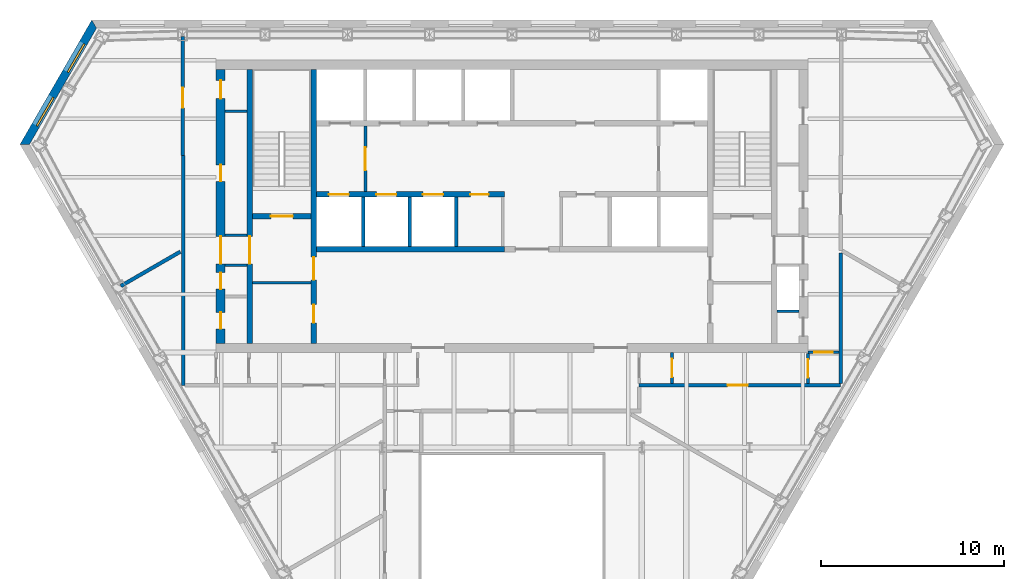
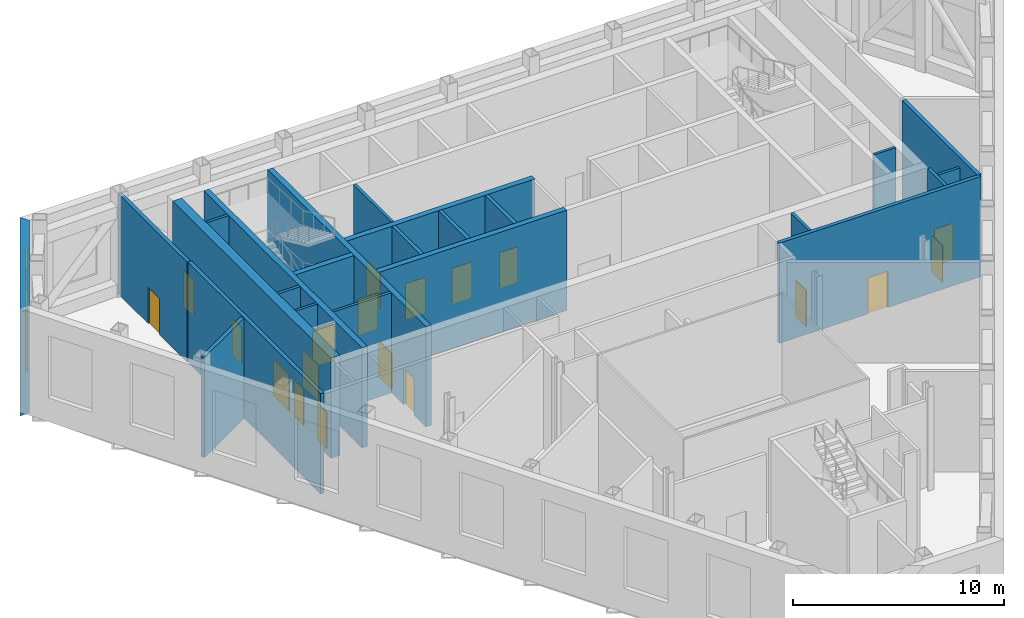
# One storey, part 8 of 13: 24 walls, 19 doors, 2 shading devices, 21 openings.
"""IFC4 building model written with IfcOpenShell, lengths in metres."""

from ifc_helpers import new_model, si_unit, direction, frame, frame_2d, origin, place, context, subcontext, project, spatial, polyline, rectangle, outline, extrude, material, layer, layer_set, type_object, element, fill, save


model = new_model("IFC4")

# Units and contexts
model_context = context("Model", 3, precision=1e-05, world=origin(), true_north=direction((0.0, 1.0)))
body_context = subcontext(model_context, "Body", "Model", "MODEL_VIEW")
ifc_project = project(units=[si_unit("LENGTHUNIT", "METRE"), si_unit("AREAUNIT", "SQUARE_METRE"), si_unit("VOLUMEUNIT", "CUBIC_METRE"), si_unit("PLANEANGLEUNIT", "RADIAN"), si_unit("MASSUNIT", "GRAM", prefix="KILO")], contexts=[model_context])

# Site, building, storey
site_placement = place(None, origin())
site = spatial("IfcSite", under=ifc_project, at=site_placement, CompositionType="ELEMENT")
building_placement = place(site_placement, origin())
building = spatial("IfcBuilding", under=site, at=building_placement, Name="Njiva Tower", CompositionType="ELEMENT")
storey_placement = place(building_placement, frame((0.0, 0.0, 186.6)))
storey = spatial("IfcBuildingStorey", under=building, at=storey_placement, Name="L41", CompositionType="ELEMENT", Elevation=186.6)

# Walls
ifc_material_1 = material(Name="Blockwork", Category="masonry")
ifc_layer_1 = layer(ifc_material_1, 0.15)
ifc_layer_set_1 = layer_set([ifc_layer_1], Name="Blockwork")
wall_type_1 = type_object("IfcWallType", Name="WT1 Compartment partition 150", PredefinedType="PARTITIONING", material=ifc_layer_set_1)
wall_1_placement = place(storey_placement, frame((-14.2, 5.825, 0.0), z_axis=(0.0, 0.0, 1.0), x_axis=(1.0, 0.0, 0.0)))
element("IfcWall", 1, at=wall_1_placement, inside=storey, type_object=wall_type_1, Name="Room wall A", PredefinedType="PARTITIONING", context=body_context, shape_type="SweptSolid", body=[
    extrude(rectangle(XDim=3.2, YDim=0.15, at=frame_2d((1.6, 0.0))), origin(), (0.0, 0.0, 1.0), 5.8),
])
wall_2_placement = place(storey_placement, frame((-15.7, 15.2048, 0.0), z_axis=(0.0, 0.0, 1.0), x_axis=(1.0, 0.0, 0.0)))
element("IfcWall", 2, at=wall_2_placement, inside=storey, type_object=wall_type_1, Name="Partition strip W10", PredefinedType="PARTITIONING", context=body_context, shape_type="SweptSolid", body=[
    extrude(rectangle(XDim=1.2, YDim=0.15, at=frame_2d((0.6, 0.0))), origin(), (0.0, 0.0, 1.0), 5.8),
])

# Wall, openings, doors
ifc_material_2 = material(Name="Concrete C40/50", Category="concrete")
ifc_layer_2 = layer(ifc_material_2, 0.3)
ifc_layer_set_2 = layer_set([ifc_layer_2], Name="Concrete C40/50")
wall_type_2 = type_object("IfcWallType", Name="WT10 Stair enclosure wall 300", PredefinedType="SHEAR", material=ifc_layer_set_2)
wall_3_placement = place(storey_placement, frame((-10.85, 2.5, 0.0), z_axis=(0.0, 0.0, 1.0), x_axis=(0.0, 1.0, 0.0)))
wall_3 = element("IfcWall", 3, at=wall_3_placement, inside=storey, type_object=wall_type_2, Name="Stair wall west inner", PredefinedType="SHEAR", context=body_context, shape_type="SweptSolid", body=[
    extrude(rectangle(XDim=15.0, YDim=0.3, at=frame_2d((7.5, 0.0))), origin(), (0.0, 0.0, 1.0), 5.8),
])
opening_1_placement = place(wall_3_placement, frame((3.475, 0.0, 0.0)))
opening_1 = element("IfcOpeningElement", 4, at=opening_1_placement, cuts=wall_3, Name="Opening T3-D914", PredefinedType="OPENING", context=body_context, shape_type="SweptSolid", body=[
    extrude(rectangle(XDim=1.25, YDim=2.1, at=frame_2d((0.625, 1.05))), frame((0.0, 0.16, 0.0), z_axis=(0.0, -1.0, 0.0), x_axis=(1.0, 0.0, 0.0)), (0.0, 0.0, 1.0), 0.32),
])
opening_2_placement = place(wall_3_placement, frame((1.125, 0.0, 0.0)))
opening_2 = element("IfcOpeningElement", 5, at=opening_2_placement, cuts=wall_3, Name="Opening T3-D915", PredefinedType="OPENING", context=body_context, shape_type="SweptSolid", body=[
    extrude(rectangle(XDim=1.0, YDim=2.1, at=frame_2d((0.5, 1.05))), frame((0.0, 0.16, 0.0), z_axis=(0.0, -1.0, 0.0), x_axis=(1.0, 0.0, 0.0)), (0.0, 0.0, 1.0), 0.32),
])
ifc_material_3 = material(Name="Steel door, painted", Category="steel")
door_type_1 = type_object("IfcDoorType", Name="D5 Steel door 1000x2100", OperationType="SINGLE_SWING_LEFT", PredefinedType="DOOR", material=ifc_material_3)
door_1_placement = place(opening_2_placement, origin())
door_1 = element("IfcDoor", 6, at=door_1_placement, inside=storey, type_object=door_type_1, Name="Electrical plant room door", OperationType="SINGLE_SWING_RIGHT", OverallHeight=2.1, OverallWidth=1.0, PredefinedType="DOOR", context=body_context, shape_type="SweptSolid", body=[
    extrude(rectangle(XDim=1.0, YDim=2.1, at=frame_2d((0.5, 1.05))), frame((0.0, 0.025, 0.0), z_axis=(0.0, -1.0, 0.0), x_axis=(1.0, 0.0, 0.0)), (0.0, 0.0, 1.0), 0.05),
])
fill(opening_2, door_1)
ifc_material_4 = material(Name="Glazed steel fire door", Category="steel")
door_type_2 = type_object("IfcDoorType", Name="D8 Vestibule corridor door 1250x2100 glazed", OperationType="SINGLE_SWING_LEFT", PredefinedType="DOOR", material=ifc_material_4)
door_2_placement = place(opening_1_placement, origin())
door_2 = element("IfcDoor", 7, at=door_2_placement, inside=storey, type_object=door_type_2, Name="Stair vestibule corridor door", OperationType="SINGLE_SWING_LEFT", OverallHeight=2.1, OverallWidth=1.25, PredefinedType="DOOR", context=body_context, shape_type="SweptSolid", body=[
    extrude(rectangle(XDim=1.25, YDim=2.1, at=frame_2d((0.625, 1.05))), frame((0.0, 0.025, 0.0), z_axis=(0.0, -1.0, 0.0), x_axis=(1.0, 0.0, 0.0)), (0.0, 0.0, 1.0), 0.05),
])
fill(opening_1, door_2)

# Wall, opening, door
wall_4_placement = place(storey_placement, frame((-14.35, 2.5, 0.0), z_axis=(0.0, 0.0, 1.0), x_axis=(0.0, 1.0, 0.0)))
wall_4 = element("IfcWall", 8, at=wall_4_placement, inside=storey, type_object=wall_type_2, Name="Stair wall west outer", PredefinedType="SHEAR", context=body_context, shape_type="SweptSolid", body=[
    extrude(rectangle(XDim=15.0, YDim=0.3, at=frame_2d((7.5, 0.0))), origin(), (0.0, 0.0, 1.0), 5.8),
])
opening_3_placement = place(wall_4_placement, frame((4.35, 0.0, 0.0)))
opening_3 = element("IfcOpeningElement", 9, at=opening_3_placement, cuts=wall_4, Name="Opening T3-D920", PredefinedType="OPENING", context=body_context, shape_type="SweptSolid", body=[
    extrude(rectangle(XDim=1.5, YDim=2.1, at=frame_2d((0.75, 1.05))), frame((0.0, 0.16, 0.0), z_axis=(0.0, -1.0, 0.0), x_axis=(1.0, 0.0, 0.0)), (0.0, 0.0, 1.0), 0.32),
])
door_type_3 = type_object("IfcDoorType", Name="D10 Exit door double 1500x2100 glazed", OperationType="DOUBLE_DOOR_SINGLE_SWING", PredefinedType="DOOR", material=ifc_material_4)
door_3_placement = place(opening_3_placement, origin())
door_3 = element("IfcDoor", 10, at=door_3_placement, inside=storey, type_object=door_type_3, Name="Stair A passage door", OperationType="DOUBLE_DOOR_SINGLE_SWING", OverallHeight=2.1, OverallWidth=1.5, PredefinedType="DOOR", context=body_context, shape_type="SweptSolid", body=[
    extrude(rectangle(XDim=1.5, YDim=2.1, at=frame_2d((0.75, 1.05))), frame((0.0, 0.025, 0.0), z_axis=(0.0, -1.0, 0.0), x_axis=(1.0, 0.0, 0.0)), (0.0, 0.0, 1.0), 0.05),
])
fill(opening_3, door_3)

wall_5_placement = place(storey_placement, frame((-14.2, 9.45, 0.0), z_axis=(0.0, 0.0, 1.0), x_axis=(1.0, 0.0, 0.0)))
wall_5 = element("IfcWall", 11, at=wall_5_placement, inside=storey, type_object=wall_type_2, Name="Stair A south wall", PredefinedType="SHEAR", context=body_context, shape_type="SweptSolid", body=[
    extrude(rectangle(XDim=3.2, YDim=0.3, at=frame_2d((1.6, 0.0))), origin(), (0.0, 0.0, 1.0), 5.8),
])
opening_4_placement = place(wall_5_placement, frame((1.0, 0.0, 0.0)))
opening_4 = element("IfcOpeningElement", 12, at=opening_4_placement, cuts=wall_5, Name="Opening T3-D913", PredefinedType="OPENING", context=body_context, shape_type="SweptSolid", body=[
    extrude(rectangle(XDim=1.2, YDim=2.1, at=frame_2d((0.6, 1.05))), frame((0.0, 0.16, 0.0), z_axis=(0.0, -1.0, 0.0), x_axis=(1.0, 0.0, 0.0)), (0.0, 0.0, 1.0), 0.32),
])
door_type_4 = type_object("IfcDoorType", Name="D7 Stair vestibule door 1200x2100 glazed", OperationType="SINGLE_SWING_LEFT", PredefinedType="DOOR", material=ifc_material_4)
door_4_placement = place(opening_4_placement, origin())
door_4 = element("IfcDoor", 13, at=door_4_placement, inside=storey, type_object=door_type_4, Name="Stair A door", OperationType="SINGLE_SWING_LEFT", OverallHeight=2.1, OverallWidth=1.2, PredefinedType="DOOR", context=body_context, shape_type="SweptSolid", body=[
    extrude(rectangle(XDim=1.2, YDim=2.1, at=frame_2d((0.6, 1.05))), frame((0.0, 0.025, 0.0), z_axis=(0.0, -1.0, 0.0), x_axis=(1.0, 0.0, 0.0)), (0.0, 0.0, 1.0), 0.05),
])
fill(opening_4, door_4)

# Wall, openings, doors
ifc_material_5 = material(Name="Concrete C60/75", Category="concrete")
ifc_layer_3 = layer(ifc_material_5, 0.5)
ifc_layer_set_3 = layer_set([ifc_layer_3], Name="Concrete C60/75")
wall_type_3 = type_object("IfcWallType", Name="WT13 Core wall 500", PredefinedType="SHEAR", material=ifc_layer_set_3)
wall_6_placement = place(storey_placement, frame((-15.95, 2.5, 0.0), z_axis=(0.0, 0.0, 1.0), x_axis=(0.0, 1.0, 0.0)))
wall_6 = element("IfcWall", 14, at=wall_6_placement, inside=storey, type_object=wall_type_3, Name="Core wall west", PredefinedType="SHEAR", context=body_context, shape_type="SweptSolid", body=[
    extrude(rectangle(XDim=15.0, YDim=0.5, at=frame_2d((7.5, 0.0))), origin(), (0.0, 0.0, 1.0), 5.8),
])
opening_5_placement = place(wall_6_placement, frame((4.35, 0.0, 0.0)))
opening_5 = element("IfcOpeningElement", 15, at=opening_5_placement, cuts=wall_6, Name="Opening T3-D921", PredefinedType="OPENING", context=body_context, shape_type="SweptSolid", body=[
    extrude(rectangle(XDim=1.5, YDim=2.1, at=frame_2d((0.75, 1.05))), frame((0.0, 0.26, 0.0), z_axis=(0.0, -1.0, 0.0), x_axis=(1.0, 0.0, 0.0)), (0.0, 0.0, 1.0), 0.52),
])
opening_6_placement = place(wall_6_placement, frame((0.7984, 0.0, 0.0)))
opening_6 = element("IfcOpeningElement", 16, at=opening_6_placement, cuts=wall_6, Name="Opening T3-D922", PredefinedType="OPENING", context=body_context, shape_type="SweptSolid", body=[
    extrude(rectangle(XDim=0.9, YDim=2.1, at=frame_2d((0.45, 1.05))), frame((0.0, 0.26, 0.0), z_axis=(0.0, -1.0, 0.0), x_axis=(1.0, 0.0, 0.0)), (0.0, 0.0, 1.0), 0.52),
])
opening_7_placement = place(wall_6_placement, frame((2.9734, 0.0, 0.0)))
opening_7 = element("IfcOpeningElement", 17, at=opening_7_placement, cuts=wall_6, Name="Opening T3-D923", PredefinedType="OPENING", context=body_context, shape_type="SweptSolid", body=[
    extrude(rectangle(XDim=0.9, YDim=2.1, at=frame_2d((0.45, 1.05))), frame((0.0, 0.26, 0.0), z_axis=(0.0, -1.0, 0.0), x_axis=(1.0, 0.0, 0.0)), (0.0, 0.0, 1.0), 0.52),
])
opening_8_placement = place(wall_6_placement, frame((8.8649, 0.0, 0.0)))
opening_8 = element("IfcOpeningElement", 18, at=opening_8_placement, cuts=wall_6, Name="Opening T3-D924", PredefinedType="OPENING", context=body_context, shape_type="SweptSolid", body=[
    extrude(rectangle(XDim=0.9, YDim=2.1, at=frame_2d((0.45, 1.05))), frame((0.0, 0.26, 0.0), z_axis=(0.0, -1.0, 0.0), x_axis=(1.0, 0.0, 0.0)), (0.0, 0.0, 1.0), 0.52),
])
opening_9_placement = place(wall_6_placement, frame((13.3899, 0.0, 0.0)))
opening_9 = element("IfcOpeningElement", 19, at=opening_9_placement, cuts=wall_6, Name="Opening T3-D925", PredefinedType="OPENING", context=body_context, shape_type="SweptSolid", body=[
    extrude(rectangle(XDim=1.0, YDim=2.1, at=frame_2d((0.5, 1.05))), frame((0.0, 0.26, 0.0), z_axis=(0.0, -1.0, 0.0), x_axis=(1.0, 0.0, 0.0)), (0.0, 0.0, 1.0), 0.52),
])
door_5_placement = place(opening_5_placement, origin())
door_5 = element("IfcDoor", 20, at=door_5_placement, inside=storey, type_object=door_type_3, Name="Stair A corridor door", OperationType="DOUBLE_DOOR_SINGLE_SWING", OverallHeight=2.1, OverallWidth=1.5, PredefinedType="DOOR", context=body_context, shape_type="SweptSolid", body=[
    extrude(rectangle(XDim=1.5, YDim=2.1, at=frame_2d((0.75, 1.05))), frame((0.0, 0.025, 0.0), z_axis=(0.0, -1.0, 0.0), x_axis=(1.0, 0.0, 0.0)), (0.0, 0.0, 1.0), 0.05),
])
fill(opening_5, door_5)
door_type_5 = type_object("IfcDoorType", Name="D4 Riser door 900x2100", OperationType="SINGLE_SWING_LEFT", PredefinedType="DOOR", material=ifc_material_3)
door_6_placement = place(opening_7_placement, origin())
door_6 = element("IfcDoor", 21, at=door_6_placement, inside=storey, type_object=door_type_5, Name="Mechanical riser door", OperationType="SINGLE_SWING_RIGHT", OverallHeight=2.1, OverallWidth=0.9, PredefinedType="DOOR", context=body_context, shape_type="SweptSolid", body=[
    extrude(rectangle(XDim=0.9, YDim=2.1, at=frame_2d((0.45, 1.05))), frame((0.0, 0.025, 0.0), z_axis=(0.0, -1.0, 0.0), x_axis=(1.0, 0.0, 0.0)), (0.0, 0.0, 1.0), 0.05),
])
fill(opening_7, door_6)
door_7_placement = place(opening_9_placement, origin())
door_7 = element("IfcDoor", 22, at=door_7_placement, inside=storey, type_object=door_type_1, Name="Electrical plant room door", OperationType="SINGLE_SWING_LEFT", OverallHeight=2.1, OverallWidth=1.0, PredefinedType="DOOR", context=body_context, shape_type="SweptSolid", body=[
    extrude(rectangle(XDim=1.0, YDim=2.1, at=frame_2d((0.5, 1.05))), frame((0.0, 0.025, 0.0), z_axis=(0.0, -1.0, 0.0), x_axis=(1.0, 0.0, 0.0)), (0.0, 0.0, 1.0), 0.05),
])
fill(opening_9, door_7)
ifc_material_6 = material(Name="Steel fire door, painted", Category="steel")
door_type_6 = type_object("IfcDoorType", Name="D6 Fire-rated door 900x2100", OperationType="SINGLE_SWING_LEFT", PredefinedType="DOOR", material=ifc_material_6)
door_8_placement = place(opening_6_placement, origin())
door_8 = element("IfcDoor", 23, at=door_8_placement, inside=storey, type_object=door_type_6, Name="Cable plant store door", OperationType="SINGLE_SWING_RIGHT", OverallHeight=2.1, OverallWidth=0.9, PredefinedType="DOOR", context=body_context, shape_type="SweptSolid", body=[
    extrude(rectangle(XDim=0.9, YDim=2.1, at=frame_2d((0.45, 1.05))), frame((0.0, 0.025, 0.0), z_axis=(0.0, -1.0, 0.0), x_axis=(1.0, 0.0, 0.0)), (0.0, 0.0, 1.0), 0.05),
])
fill(opening_6, door_8)
door_9_placement = place(opening_8_placement, origin())
door_9 = element("IfcDoor", 24, at=door_9_placement, inside=storey, type_object=door_type_6, Name="Cable plant store door", OperationType="SINGLE_SWING_LEFT", OverallHeight=2.1, OverallWidth=0.9, PredefinedType="DOOR", context=body_context, shape_type="SweptSolid", body=[
    extrude(rectangle(XDim=0.9, YDim=2.1, at=frame_2d((0.45, 1.05))), frame((0.0, 0.025, 0.0), z_axis=(0.0, -1.0, 0.0), x_axis=(1.0, 0.0, 0.0)), (0.0, 0.0, 1.0), 0.05),
])
fill(opening_8, door_9)

# Wall, opening, door
ifc_layer_4 = layer(ifc_material_1, 0.15)
ifc_layer_set_4 = layer_set([ifc_layer_4], Name="Blockwork")
wall_type_4 = type_object("IfcWallType", Name="WT2 Lobby partition 150", PredefinedType="PARTITIONING", material=ifc_layer_set_4)
wall_7_placement = place(storey_placement, frame((-8.025, 10.8, 0.0), z_axis=(0.0, 0.0, 1.0), x_axis=(0.0, 1.0, 0.0)))
wall_7 = element("IfcWall", 25, at=wall_7_placement, inside=storey, type_object=wall_type_4, Name="Firefighting lobby wall A", PredefinedType="PARTITIONING", context=body_context, shape_type="SweptSolid", body=[
    extrude(rectangle(XDim=3.6, YDim=0.15, at=frame_2d((1.8, 0.0))), origin(), (0.0, 0.0, 1.0), 5.8),
])
opening_10_placement = place(wall_7_placement, frame((1.175, 0.0, 0.0)))
opening_10 = element("IfcOpeningElement", 26, at=opening_10_placement, cuts=wall_7, Name="Opening T3-D912", PredefinedType="OPENING", context=body_context, shape_type="SweptSolid", body=[
    extrude(rectangle(XDim=1.25, YDim=2.1, at=frame_2d((0.625, 1.05))), frame((0.0, 0.085, 0.0), z_axis=(0.0, -1.0, 0.0), x_axis=(1.0, 0.0, 0.0)), (0.0, 0.0, 1.0), 0.17),
])
door_10_placement = place(opening_10_placement, origin())
door_10 = element("IfcDoor", 27, at=door_10_placement, inside=storey, type_object=door_type_2, Name="Stair vestibule corridor door", OperationType="SINGLE_SWING_RIGHT", OverallHeight=2.1, OverallWidth=1.25, PredefinedType="DOOR", context=body_context, shape_type="SweptSolid", body=[
    extrude(rectangle(XDim=1.25, YDim=2.1, at=frame_2d((0.625, 1.05))), frame((0.0, 0.025, 0.0), z_axis=(0.0, -1.0, 0.0), x_axis=(1.0, 0.0, 0.0)), (0.0, 0.0, 1.0), 0.05),
])
fill(opening_10, door_10)

ifc_material_7 = material(Name="Gypsum board on steel studs", Category="gypsum")
ifc_layer_5 = layer(ifc_material_7, 0.15)
ifc_layer_set_5 = layer_set([ifc_layer_5], Name="Gypsum board on steel studs")
wall_type_5 = type_object("IfcWallType", Name="WT21 Compartment wall 150", PredefinedType="PARTITIONING", material=ifc_layer_set_5)
wall_8_placement = place(storey_placement, frame((8.76, 0.3, 0.0), z_axis=(0.0, 0.0, 1.0), x_axis=(0.0, 1.0, 0.0)))
wall_8 = element("IfcWall", 28, at=wall_8_placement, inside=storey, type_object=wall_type_5, Name="Partition T3-P030", PredefinedType="PARTITIONING", context=body_context, shape_type="SweptSolid", body=[
    extrude(rectangle(XDim=1.7, YDim=0.15, at=frame_2d((0.85, 0.0))), origin(), (0.0, 0.0, 1.0), 5.8),
])
opening_11_placement = place(wall_8_placement, frame((0.35, 0.0, 0.0)))
opening_11 = element("IfcOpeningElement", 29, at=opening_11_placement, cuts=wall_8, Name="Opening T3-D017", PredefinedType="OPENING", context=body_context, shape_type="SweptSolid", body=[
    extrude(rectangle(XDim=1.0, YDim=2.1, at=frame_2d((0.5, 1.05))), frame((0.0, 0.085, 0.0), z_axis=(0.0, -1.0, 0.0), x_axis=(1.0, 0.0, 0.0)), (0.0, 0.0, 1.0), 0.17),
])
ifc_material_8 = material(Name="Steel fire door set", Category="steel")
door_type_7 = type_object("IfcDoorType", Name="D37 Fire door 1000x2100", OperationType="SINGLE_SWING_LEFT", PredefinedType="DOOR", material=ifc_material_8)
door_11_placement = place(opening_11_placement, origin())
door_11 = element("IfcDoor", 30, at=door_11_placement, inside=storey, type_object=door_type_7, Name="Door T3-D017", OperationType="SINGLE_SWING_LEFT", OverallHeight=2.1, OverallWidth=1.0, PredefinedType="DOOR", context=body_context, shape_type="SweptSolid", body=[
    extrude(rectangle(XDim=1.0, YDim=2.1, at=frame_2d((0.5, 1.05))), frame((0.0, 0.025, 0.0), z_axis=(0.0, -1.0, 0.0), x_axis=(1.0, 0.0, 0.0)), (0.0, 0.0, 1.0), 0.05),
])
fill(opening_11, door_11)

wall_9_placement = place(storey_placement, frame((16.2, 0.3, 0.0), z_axis=(0.0, 0.0, 1.0), x_axis=(0.0, 1.0, 0.0)))
wall_9 = element("IfcWall", 31, at=wall_9_placement, inside=storey, type_object=wall_type_5, Name="Partition T3-P031", PredefinedType="PARTITIONING", context=body_context, shape_type="SweptSolid", body=[
    extrude(rectangle(XDim=1.637, YDim=0.15, at=frame_2d((0.8185, 0.0))), origin(), (0.0, 0.0, 1.0), 5.8),
])
opening_12_placement = place(wall_9_placement, frame((0.319, 0.0, 0.0)))
opening_12 = element("IfcOpeningElement", 32, at=opening_12_placement, cuts=wall_9, Name="Opening T3-D018", PredefinedType="OPENING", context=body_context, shape_type="SweptSolid", body=[
    extrude(rectangle(XDim=1.0, YDim=2.1, at=frame_2d((0.5, 1.05))), frame((0.0, 0.085, 0.0), z_axis=(0.0, -1.0, 0.0), x_axis=(1.0, 0.0, 0.0)), (0.0, 0.0, 1.0), 0.17),
])
door_12_placement = place(opening_12_placement, origin())
door_12 = element("IfcDoor", 33, at=door_12_placement, inside=storey, type_object=door_type_7, Name="Door T3-D018", OperationType="SINGLE_SWING_LEFT", OverallHeight=2.1, OverallWidth=1.0, PredefinedType="DOOR", context=body_context, shape_type="SweptSolid", body=[
    extrude(rectangle(XDim=1.0, YDim=2.1, at=frame_2d((0.5, 1.05))), frame((0.0, 0.025, 0.0), z_axis=(0.0, -1.0, 0.0), x_axis=(1.0, 0.0, 0.0)), (0.0, 0.0, 1.0), 0.05),
])
fill(opening_12, door_12)

wall_10_placement = place(storey_placement, frame((16.2, 2.012, 0.0), z_axis=(0.0, 0.0, 1.0), x_axis=(1.0, 0.0, 0.0)))
wall_10 = element("IfcWall", 34, at=wall_10_placement, inside=storey, type_object=wall_type_5, Name="Partition T3-P032", PredefinedType="PARTITIONING", context=body_context, shape_type="SweptSolid", body=[
    extrude(rectangle(XDim=1.7, YDim=0.15, at=frame_2d((0.85, 0.0))), origin(), (0.0, 0.0, 1.0), 5.21),
])
opening_13_placement = place(wall_10_placement, frame((0.35, 0.0, 0.0)))
opening_13 = element("IfcOpeningElement", 35, at=opening_13_placement, cuts=wall_10, Name="Opening T3-D019", PredefinedType="OPENING", context=body_context, shape_type="SweptSolid", body=[
    extrude(rectangle(XDim=1.0, YDim=2.1, at=frame_2d((0.5, 1.05))), frame((0.0, 0.085, 0.0), z_axis=(0.0, -1.0, 0.0), x_axis=(1.0, 0.0, 0.0)), (0.0, 0.0, 1.0), 0.17),
])
door_13_placement = place(opening_13_placement, origin())
door_13 = element("IfcDoor", 36, at=door_13_placement, inside=storey, type_object=door_type_7, Name="Door T3-D019", OperationType="SINGLE_SWING_LEFT", OverallHeight=2.1, OverallWidth=1.0, PredefinedType="DOOR", context=body_context, shape_type="SweptSolid", body=[
    extrude(rectangle(XDim=1.0, YDim=2.1, at=frame_2d((0.5, 1.05))), frame((0.0, 0.025, 0.0), z_axis=(0.0, -1.0, 0.0), x_axis=(1.0, 0.0, 0.0)), (0.0, 0.0, 1.0), 0.05),
])
fill(opening_13, door_13)

# Wall
ifc_layer_6 = layer(ifc_material_1, 0.2)
ifc_layer_set_6 = layer_set([ifc_layer_6], Name="Blockwork")
wall_type_6 = type_object("IfcWallType", Name="WT22 Plant room wall 200", PredefinedType="PARTITIONING", material=ifc_layer_set_6)
wall_11_placement = place(storey_placement, frame((-21.413, 5.637, 0.0), z_axis=(0.0, 0.0, 1.0), x_axis=(0.866128132328, 0.499822026716, 0.0)))
element("IfcWall", 37, at=wall_11_placement, inside=storey, type_object=wall_type_6, Name="Partition T3-P001", PredefinedType="PARTITIONING", context=body_context, shape_type="SweptSolid", body=[
    extrude(rectangle(XDim=3.7673, YDim=0.2, at=frame_2d((1.8836, 0.0))), origin(), (0.0, 0.0, 1.0), 5.8),
])

# Wall, opening, door
wall_12_placement = place(storey_placement, frame((-18.031, 12.793, 0.0), z_axis=(0.0, 0.0, 1.0), x_axis=(0.0, 1.0, 0.0)))
wall_12 = element("IfcWall", 38, at=wall_12_placement, inside=storey, type_object=wall_type_6, Name="Partition T3-P002", PredefinedType="PARTITIONING", context=body_context, shape_type="SweptSolid", body=[
    extrude(rectangle(XDim=6.507, YDim=0.2, at=frame_2d((3.2535, 0.0))), origin(), (0.0, 0.0, 1.0), 5.8),
])
opening_14_placement = place(wall_12_placement, frame((2.603, 0.0, 0.0)))
opening_14 = element("IfcOpeningElement", 39, at=opening_14_placement, cuts=wall_12, Name="Opening T3-D001", PredefinedType="OPENING", context=body_context, shape_type="SweptSolid", body=[
    extrude(rectangle(XDim=1.1, YDim=2.1, at=frame_2d((0.55, 1.05))), frame((0.0, 0.11, 0.0), z_axis=(0.0, -1.0, 0.0), x_axis=(1.0, 0.0, 0.0)), (0.0, 0.0, 1.0), 0.22),
])
ifc_material_9 = material(Name="Steel door set", Category="steel")
door_type_8 = type_object("IfcDoorType", Name="D34 Plant door 1100x2100", OperationType="SINGLE_SWING_LEFT", PredefinedType="DOOR", material=ifc_material_9)
door_14_placement = place(opening_14_placement, origin())
door_14 = element("IfcDoor", 40, at=door_14_placement, inside=storey, type_object=door_type_8, Name="Door T3-D001", OperationType="SINGLE_SWING_RIGHT", OverallHeight=2.1, OverallWidth=1.1, PredefinedType="DOOR", context=body_context, shape_type="SweptSolid", body=[
    extrude(rectangle(XDim=1.1, YDim=2.1, at=frame_2d((0.55, 1.05))), frame((0.0, 0.025, 0.0), z_axis=(0.0, -1.0, 0.0), x_axis=(1.0, 0.0, 0.0)), (0.0, 0.0, 1.0), 0.05),
])
fill(opening_14, door_14)

# Wall
wall_13_placement = place(storey_placement, frame((-18.0, 0.2, 0.0), z_axis=(0.0, 0.0, 1.0), x_axis=(0.0, 1.0, 0.0)))
element("IfcWall", 41, at=wall_13_placement, inside=storey, type_object=wall_type_6, Name="Partition T3-P003", PredefinedType="PARTITIONING", context=body_context, shape_type="SweptSolid", body=[
    extrude(rectangle(XDim=12.575, YDim=0.2, at=frame_2d((6.2875, 0.0))), origin(), (0.0, 0.0, 1.0), 5.8),
])

# Wall, opening, door
wall_14_placement = place(storey_placement, frame((6.961, 0.2, 0.0), z_axis=(0.0, 0.0, 1.0), x_axis=(1.0, 0.0, 0.0)))
wall_14 = element("IfcWall", 42, at=wall_14_placement, inside=storey, type_object=wall_type_6, Name="Partition T3-P029", PredefinedType="PARTITIONING", context=body_context, shape_type="SweptSolid", body=[
    extrude(rectangle(XDim=11.024, YDim=0.2, at=frame_2d((5.512, 0.0))), origin(), (0.0, 0.0, 1.0), 5.8),
])
opening_15_placement = place(wall_14_placement, frame((4.844, 0.0, 0.0)))
opening_15 = element("IfcOpeningElement", 43, at=opening_15_placement, cuts=wall_14, Name="Opening T3-D016", PredefinedType="OPENING", context=body_context, shape_type="SweptSolid", body=[
    extrude(rectangle(XDim=1.1, YDim=2.1, at=frame_2d((0.55, 1.05))), frame((0.0, 0.11, 0.0), z_axis=(0.0, -1.0, 0.0), x_axis=(1.0, 0.0, 0.0)), (0.0, 0.0, 1.0), 0.22),
])
door_15_placement = place(opening_15_placement, origin())
door_15 = element("IfcDoor", 44, at=door_15_placement, inside=storey, type_object=door_type_8, Name="Door T3-D016", OperationType="SINGLE_SWING_LEFT", OverallHeight=2.1, OverallWidth=1.1, PredefinedType="DOOR", context=body_context, shape_type="SweptSolid", body=[
    extrude(rectangle(XDim=1.1, YDim=2.1, at=frame_2d((0.55, 1.05))), frame((0.0, 0.025, 0.0), z_axis=(0.0, -1.0, 0.0), x_axis=(1.0, 0.0, 0.0)), (0.0, 0.0, 1.0), 0.05),
])
fill(opening_15, door_15)

# Walls
wall_15_placement = place(storey_placement, frame((18.0, 0.3, 0.0), z_axis=(0.0, 0.0, 1.0), x_axis=(0.0, 1.0, 0.0)))
element("IfcWall", 45, at=wall_15_placement, inside=storey, type_object=wall_type_6, Name="Partition T3-P033", PredefinedType="PARTITIONING", context=body_context, shape_type="SweptSolid", body=[
    extrude(rectangle(XDim=7.133, YDim=0.2, at=frame_2d((3.5665, 0.0))), origin(), (0.0, 0.0, 1.0), 5.8),
])
ifc_layer_7 = layer(ifc_material_1, 0.15)
ifc_layer_set_7 = layer_set([ifc_layer_7], Name="Blockwork")
wall_type_7 = type_object("IfcWallType", Name="WT3 Riser partition 150", PredefinedType="PARTITIONING", material=ifc_layer_set_7)
wall_16_placement = place(storey_placement, frame((14.5, 4.2514, 0.0), z_axis=(0.0, 0.0, 1.0), x_axis=(1.0, 0.0, 0.0)))
element("IfcWall", 46, at=wall_16_placement, inside=storey, type_object=wall_type_7, Name="Partition strip E00", PredefinedType="PARTITIONING", context=body_context, shape_type="SweptSolid", body=[
    extrude(rectangle(XDim=1.2, YDim=0.15, at=frame_2d((0.6, 0.0))), origin(), (0.0, 0.0, 1.0), 5.8),
])
ifc_layer_8 = layer(ifc_material_1, 0.15)
ifc_layer_set_8 = layer_set([ifc_layer_8], Name="Blockwork")
wall_type_8 = type_object("IfcWallType", Name="WT4 Stair partition 150", PredefinedType="PARTITIONING", material=ifc_layer_set_8)
for number, where, z_axis, x_axis, name in (
    (47, (-15.7, 6.775, 0.0), (0.0, 0.0, 1.0), (1.0, 0.0, 0.0), "Stair A exit passage wall south"),
    (48, (-15.7, 8.425, 0.0), (0.0, 0.0, 1.0), (1.0, 0.0, 0.0), "Stair A exit passage wall north"),
):
    element("IfcWall", number, at=place(storey_placement, frame(where, z_axis=z_axis, x_axis=x_axis)), inside=storey, type_object=wall_type_8, Name=name, PredefinedType="PARTITIONING", context=body_context, shape_type="SweptSolid", body=[
        extrude(rectangle(XDim=1.2, YDim=0.15, at=frame_2d((0.6, 0.0))), origin(), (0.0, 0.0, 1.0), 5.8),
    ])
ifc_layer_9 = layer(ifc_material_2, 0.2)
ifc_layer_set_9 = layer_set([ifc_layer_9], Name="Concrete C40/50")
wall_type_9 = type_object("IfcWallType", Name="WT6 Lift shaft wall 200", PredefinedType="SHEAR", material=ifc_layer_set_9)
for number, where, z_axis, x_axis, name in (
    (49, (-8.15, 7.8, 0.0), (0.0, 0.0, 1.0), (0.0, 1.0, 0.0), "Shaft wall CS1"),
    (50, (-5.6, 7.8, 0.0), (0.0, 0.0, 1.0), (0.0, 1.0, 0.0), "Shaft wall CS2"),
    (51, (-3.05, 7.8, 0.0), (0.0, 0.0, 1.0), (0.0, 1.0, 0.0), "Shaft wall CS3"),
):
    element("IfcWall", number, at=place(storey_placement, frame(where, z_axis=z_axis, x_axis=x_axis)), inside=storey, type_object=wall_type_9, Name=name, PredefinedType="SHEAR", context=body_context, shape_type="SweptSolid", body=[
        extrude(rectangle(XDim=2.7, YDim=0.2, at=frame_2d((1.35, 0.0))), origin(), (0.0, 0.0, 1.0), 5.8),
    ])

# Wall, openings, doors
ifc_layer_10 = layer(ifc_material_2, 0.3)
ifc_layer_set_10 = layer_set([ifc_layer_10], Name="Concrete C40/50")
wall_type_10 = type_object("IfcWallType", Name="WT7 Lift shaft wall 300", PredefinedType="SHEAR", material=ifc_layer_set_10)
wall_17_placement = place(storey_placement, frame((-10.7, 10.65, 0.0), z_axis=(0.0, 0.0, 1.0), x_axis=(1.0, 0.0, 0.0)))
wall_17 = element("IfcWall", 52, at=wall_17_placement, inside=storey, type_object=wall_type_10, Name="Shaft wall south row lobby side W", PredefinedType="SHEAR", context=body_context, shape_type="SweptSolid", body=[
    extrude(rectangle(XDim=10.3, YDim=0.3, at=frame_2d((5.15, 0.0))), origin(), (0.0, 0.0, 1.0), 5.8),
])
opening_16_placement = place(wall_17_placement, frame((0.675, 0.0, 0.0)))
opening_16 = element("IfcOpeningElement", 53, at=opening_16_placement, cuts=wall_17, Name="Opening T3-D906", PredefinedType="OPENING", context=body_context, shape_type="SweptSolid", body=[
    extrude(rectangle(XDim=1.1, YDim=2.1, at=frame_2d((0.55, 1.05))), frame((0.0, 0.16, 0.0), z_axis=(0.0, -1.0, 0.0), x_axis=(1.0, 0.0, 0.0)), (0.0, 0.0, 1.0), 0.32),
])
opening_17_placement = place(wall_17_placement, frame((3.275, 0.0, 0.0)))
opening_17 = element("IfcOpeningElement", 54, at=opening_17_placement, cuts=wall_17, Name="Opening T3-D907", PredefinedType="OPENING", context=body_context, shape_type="SweptSolid", body=[
    extrude(rectangle(XDim=1.1, YDim=2.1, at=frame_2d((0.55, 1.05))), frame((0.0, 0.16, 0.0), z_axis=(0.0, -1.0, 0.0), x_axis=(1.0, 0.0, 0.0)), (0.0, 0.0, 1.0), 0.32),
])
opening_18_placement = place(wall_17_placement, frame((5.825, 0.0, 0.0)))
opening_18 = element("IfcOpeningElement", 55, at=opening_18_placement, cuts=wall_17, Name="Opening T3-D908", PredefinedType="OPENING", context=body_context, shape_type="SweptSolid", body=[
    extrude(rectangle(XDim=1.1, YDim=2.1, at=frame_2d((0.55, 1.05))), frame((0.0, 0.16, 0.0), z_axis=(0.0, -1.0, 0.0), x_axis=(1.0, 0.0, 0.0)), (0.0, 0.0, 1.0), 0.32),
])
opening_19_placement = place(wall_17_placement, frame((8.425, 0.0, 0.0)))
opening_19 = element("IfcOpeningElement", 56, at=opening_19_placement, cuts=wall_17, Name="Opening T3-D910", PredefinedType="OPENING", context=body_context, shape_type="SweptSolid", body=[
    extrude(rectangle(XDim=1.0, YDim=2.1, at=frame_2d((0.5, 1.05))), frame((0.0, 0.16, 0.0), z_axis=(0.0, -1.0, 0.0), x_axis=(1.0, 0.0, 0.0)), (0.0, 0.0, 1.0), 0.32),
])
door_16_placement = place(opening_19_placement, origin())
door_16 = element("IfcDoor", 57, at=door_16_placement, inside=storey, type_object=door_type_1, Name="Electrical plant room door", OperationType="SINGLE_SWING_RIGHT", OverallHeight=2.1, OverallWidth=1.0, PredefinedType="DOOR", context=body_context, shape_type="SweptSolid", body=[
    extrude(rectangle(XDim=1.0, YDim=2.1, at=frame_2d((0.5, 1.05))), frame((0.0, 0.025, 0.0), z_axis=(0.0, -1.0, 0.0), x_axis=(1.0, 0.0, 0.0)), (0.0, 0.0, 1.0), 0.05),
])
fill(opening_19, door_16)
ifc_material_10 = material(Name="Stainless steel sliding door", Category="steel")
door_type_9 = type_object("IfcDoorType", Name="LD Lift landing door 1100x2100", OperationType="SLIDING_TO_LEFT", PredefinedType="DOOR", material=ifc_material_10)
door_17_placement = place(opening_16_placement, origin())
door_17 = element("IfcDoor", 58, at=door_17_placement, inside=storey, type_object=door_type_9, Name="Lift landing door MB1", OperationType="SLIDING_TO_LEFT", OverallHeight=2.1, OverallWidth=1.1, PredefinedType="DOOR", context=body_context, shape_type="SweptSolid", body=[
    extrude(rectangle(XDim=1.1, YDim=2.1, at=frame_2d((0.55, 1.05))), frame((0.0, 0.025, 0.0), z_axis=(0.0, -1.0, 0.0), x_axis=(1.0, 0.0, 0.0)), (0.0, 0.0, 1.0), 0.05),
])
fill(opening_16, door_17)
door_18_placement = place(opening_17_placement, origin())
door_18 = element("IfcDoor", 59, at=door_18_placement, inside=storey, type_object=door_type_9, Name="Lift landing door MB2", OperationType="SLIDING_TO_LEFT", OverallHeight=2.1, OverallWidth=1.1, PredefinedType="DOOR", context=body_context, shape_type="SweptSolid", body=[
    extrude(rectangle(XDim=1.1, YDim=2.1, at=frame_2d((0.55, 1.05))), frame((0.0, 0.025, 0.0), z_axis=(0.0, -1.0, 0.0), x_axis=(1.0, 0.0, 0.0)), (0.0, 0.0, 1.0), 0.05),
])
fill(opening_17, door_18)
door_19_placement = place(opening_18_placement, origin())
door_19 = element("IfcDoor", 60, at=door_19_placement, inside=storey, type_object=door_type_9, Name="Lift landing door MB3", OperationType="SLIDING_TO_LEFT", OverallHeight=2.1, OverallWidth=1.1, PredefinedType="DOOR", context=body_context, shape_type="SweptSolid", body=[
    extrude(rectangle(XDim=1.1, YDim=2.1, at=frame_2d((0.55, 1.05))), frame((0.0, 0.025, 0.0), z_axis=(0.0, -1.0, 0.0), x_axis=(1.0, 0.0, 0.0)), (0.0, 0.0, 1.0), 0.05),
])
fill(opening_18, door_19)

# Wall
wall_18_placement = place(storey_placement, frame((-10.7, 7.65, 0.0), z_axis=(0.0, 0.0, 1.0), x_axis=(1.0, 0.0, 0.0)))
element("IfcWall", 61, at=wall_18_placement, inside=storey, type_object=wall_type_10, Name="Shaft wall south row back W", PredefinedType="SHEAR", context=body_context, shape_type="SweptSolid", body=[
    extrude(rectangle(XDim=10.3, YDim=0.3, at=frame_2d((5.15, 0.0))), origin(), (0.0, 0.0, 1.0), 5.8),
])

# Wall, openings, shading devices
ifc_material_11 = material(Name="Brick masonry, buff", Category="masonry")
ifc_layer_11 = layer(ifc_material_11, 0.45)
ifc_layer_set_11 = layer_set([ifc_layer_11], Name="Brick masonry, buff")
wall_type_11 = type_object("IfcWallType", Name="WT94 Brick pier and spandrel wall 450, buff", PredefinedType="SOLIDWALL", material=ifc_layer_set_11)
wall_19_placement = place(storey_placement, frame((-22.8701, 19.975, -0.4), z_axis=(0.0, 0.0, 1.0), x_axis=(-0.499998078497, -0.866026513162, 0.0)))
wall_19 = element("IfcWall", 62, at=wall_19_placement, inside=storey, type_object=wall_type_11, Name="Facade wall NW", PredefinedType="SOLIDWALL", context=body_context, shape_type="SweptSolid", body=[
    extrude(outline(polyline([(-0.1299, -0.225), (7.7301, -0.225), (7.4703, 0.225), (0.1299, 0.225), (-0.1299, -0.225)])), origin(), (0.0, 0.0, 1.0), 6.0),
])
opening_20_placement = place(wall_19_placement, frame((1.2044, 0.0, 1.6)))
opening_20 = element("IfcOpeningElement", 63, at=opening_20_placement, cuts=wall_19, Name="Opening T3-LV11", PredefinedType="OPENING", context=body_context, shape_type="SweptSolid", body=[
    extrude(rectangle(XDim=1.8, YDim=3.6, at=frame_2d((0.9, 1.8))), frame((0.0, 0.235, 0.0), z_axis=(0.0, -1.0, 0.0), x_axis=(1.0, 0.0, 0.0)), (0.0, 0.0, 1.0), 0.47),
])
opening_21_placement = place(wall_19_placement, frame((4.5957, 0.0, 1.6)))
opening_21 = element("IfcOpeningElement", 64, at=opening_21_placement, cuts=wall_19, Name="Opening T3-LV12", PredefinedType="OPENING", context=body_context, shape_type="SweptSolid", body=[
    extrude(rectangle(XDim=1.8, YDim=3.6, at=frame_2d((0.9, 1.8))), frame((0.0, 0.235, 0.0), z_axis=(0.0, -1.0, 0.0), x_axis=(1.0, 0.0, 0.0)), (0.0, 0.0, 1.0), 0.47),
])
ifc_material_12 = material(Name="Aluminium louvre blades", Category="aluminium")
shading_device_type = type_object("IfcShadingDeviceType", Name="LV2 Plant louvre 1800x3600", PredefinedType="JALOUSIE", material=ifc_material_12)
shading_device_1_placement = place(opening_20_placement, origin())
shading_device_1 = element("IfcShadingDevice", 65, at=shading_device_1_placement, inside=storey, type_object=shading_device_type, Name="Plant louvre", PredefinedType="JALOUSIE", context=body_context, shape_type="SweptSolid", body=[
    extrude(rectangle(XDim=1.8, YDim=3.6, at=frame_2d((0.9, 1.8))), frame((0.0, 0.125, 0.0), z_axis=(0.0, -1.0, 0.0), x_axis=(1.0, 0.0, 0.0)), (0.0, 0.0, 1.0), 0.1),
])
fill(opening_20, shading_device_1)
shading_device_2_placement = place(opening_21_placement, origin())
shading_device_2 = element("IfcShadingDevice", 66, at=shading_device_2_placement, inside=storey, type_object=shading_device_type, Name="Plant louvre", PredefinedType="JALOUSIE", context=body_context, shape_type="SweptSolid", body=[
    extrude(rectangle(XDim=1.8, YDim=3.6, at=frame_2d((0.9, 1.8))), frame((0.0, 0.125, 0.0), z_axis=(0.0, -1.0, 0.0), x_axis=(1.0, 0.0, 0.0)), (0.0, 0.0, 1.0), 0.1),
])
fill(opening_21, shading_device_2)

save(model, "model.ifc")
